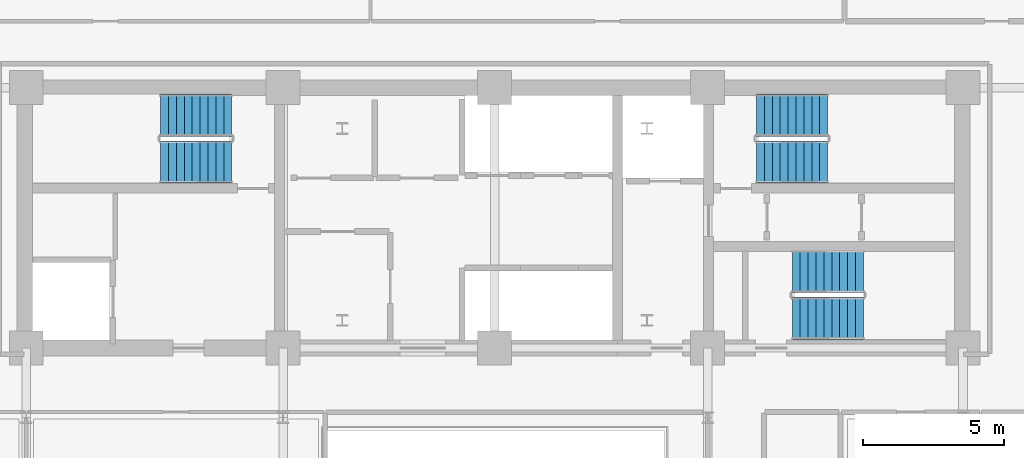
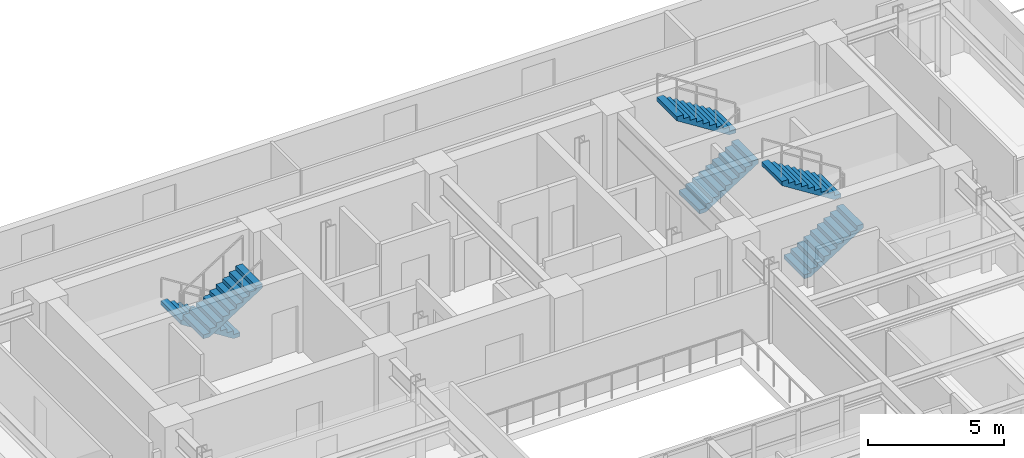
# One storey, part 10 of 13: 6 stair flights, 3 elements without a shape of their own.
"""IFC4 building model written with IfcOpenShell, lengths in metres."""

from ifc_helpers import new_model, si_unit, direction, frame, origin, place, context, subcontext, project, spatial, polyline, outline, extrude, material, layer, layer_set, type_object, element, aggregate, save


model = new_model("IFC4")

# Units and contexts
model_context = context("Model", 3, precision=1e-05, world=origin(), true_north=direction((0.0, 1.0)))
body_context = subcontext(model_context, "Body", "Model", "MODEL_VIEW")
ifc_project = project(units=[si_unit("LENGTHUNIT", "METRE"), si_unit("AREAUNIT", "SQUARE_METRE"), si_unit("VOLUMEUNIT", "CUBIC_METRE"), si_unit("PLANEANGLEUNIT", "RADIAN"), si_unit("MASSUNIT", "GRAM", prefix="KILO")], contexts=[model_context])

# Site, building, storey
site_placement = place(None, origin())
site = spatial("IfcSite", under=ifc_project, at=site_placement, CompositionType="ELEMENT")
building_placement = place(site_placement, origin())
building = spatial("IfcBuilding", under=site, at=building_placement, Name="Zarnavel Station Tower", CompositionType="ELEMENT")
storey_placement = place(building_placement, frame((0.0, 0.0, 137.699951171875)))
storey = spatial("IfcBuildingStorey", under=building, at=storey_placement, Name="L37", CompositionType="ELEMENT", Elevation=137.699951171875)

# Stair, stair flights
ifc_material_1 = material(Name="Concrete C45/55", Category="concrete")
stair_type = type_object("IfcStairType", Name="ST_CORE_150", PredefinedType="HALF_TURN_STAIR", material=ifc_material_1)
stair_1_placement = place(storey_placement, origin())
stair_1 = element("IfcStair", 1, at=stair_1_placement, inside=storey, type_object=stair_type, Name="L37 Core Exit Stair ST1", PredefinedType="HALF_TURN_STAIR")
ifc_material_2 = material(Name="Concrete C45/55", Category="concrete")
ifc_layer = layer(ifc_material_2, 0.179931640625)
ifc_layer_set = layer_set([ifc_layer], Name="ST_CORE_150_FLT")
stair_flight_type = type_object("IfcStairFlightType", Name="ST_CORE_150_FLT", PredefinedType="STRAIGHT", material=ifc_layer_set)
stair_flight_1_placement = place(storey_placement, frame((19.47998046875, 36.070068359375, 0.0), z_axis=(0.0, 0.0, 1.0), x_axis=(-1.0, 0.0, 0.0)))
stair_flight_1 = element("IfcStairFlight", 2, at=stair_flight_1_placement, type_object=stair_flight_type, Name="ST1 flight 1", NumberOfRisers=10, NumberOfTreads=9, PredefinedType="STRAIGHT", RiserHeight=0.1775, TreadLength=0.28, context=body_context, shape_type="SweptSolid", body=[
    extrude(outline(polyline([(0.0, 0.0), (0.0, 0.177490234375), (0.280029296875, 0.177490234375), (0.280029296875, 0.35498046875), (0.56005859375, 0.35498046875), (0.56005859375, 0.532470703125), (0.840087890625, 0.532470703125), (0.840087890625, 0.7099609375), (1.1201171875, 0.7099609375), (1.1201171875, 0.887451171875), (1.39990234375, 0.887451171875), (1.39990234375, 1.06494140625), (1.679931640625, 1.06494140625), (1.679931640625, 1.242431640625), (1.9599609375, 1.242431640625), (1.9599609375, 1.419921875), (2.239990234375, 1.419921875), (2.239990234375, 1.597412109375), (2.52001953125, 1.597412109375), (2.52001953125, 1.77490234375), (2.52001953125, 1.419921875), (0.280029296875, 0.0), (0.0, 0.0)])), frame((0.0, 0.75, 0.0), z_axis=(0.0, -1.0, 0.0), x_axis=(1.0, 0.0, 0.0)), (0.0, 0.0, 1.0), 1.5),
])
stair_flight_2_placement = place(storey_placement, frame((16.9599609375, 34.409912109375, 1.775146484375), z_axis=(0.0, 0.0, 1.0), x_axis=(1.0, 0.0, 0.0)))
stair_flight_2 = element("IfcStairFlight", 3, at=stair_flight_2_placement, type_object=stair_flight_type, Name="ST1 flight 2", NumberOfRisers=10, NumberOfTreads=9, PredefinedType="STRAIGHT", RiserHeight=0.1775, TreadLength=0.28, context=body_context, shape_type="SweptSolid", body=[
    extrude(outline(polyline([(0.0, 0.0), (0.0, 0.177490234375), (0.280029296875, 0.177490234375), (0.280029296875, 0.35498046875), (0.56005859375, 0.35498046875), (0.56005859375, 0.532470703125), (0.840087890625, 0.532470703125), (0.840087890625, 0.7099609375), (1.1201171875, 0.7099609375), (1.1201171875, 0.887451171875), (1.39990234375, 0.887451171875), (1.39990234375, 1.06494140625), (1.679931640625, 1.06494140625), (1.679931640625, 1.242431640625), (1.9599609375, 1.242431640625), (1.9599609375, 1.419921875), (2.239990234375, 1.419921875), (2.239990234375, 1.597412109375), (2.52001953125, 1.597412109375), (2.52001953125, 1.77490234375), (2.52001953125, 1.419921875), (0.280029296875, 0.0), (0.0, 0.0)])), frame((0.0, 0.75, 0.0), z_axis=(0.0, -1.0, 0.0), x_axis=(1.0, 0.0, 0.0)), (0.0, 0.0, 1.0), 1.5),
])
aggregate(stair_1, [stair_flight_1, stair_flight_2])

stair_2_placement = place(storey_placement, origin())
stair_2 = element("IfcStair", 4, at=stair_2_placement, inside=storey, type_object=stair_type, Name="L37 Core Exit Stair ST2", PredefinedType="HALF_TURN_STAIR")
stair_flight_3_placement = place(storey_placement, frame((38.080078125, 34.409912109375, 0.0), z_axis=(0.0, 0.0, 1.0), x_axis=(1.0, 0.0, 0.0)))
stair_flight_3 = element("IfcStairFlight", 5, at=stair_flight_3_placement, type_object=stair_flight_type, Name="ST2 flight 1", NumberOfRisers=10, NumberOfTreads=9, PredefinedType="STRAIGHT", RiserHeight=0.1775, TreadLength=0.28, context=body_context, shape_type="SweptSolid", body=[
    extrude(outline(polyline([(0.0, 0.0), (0.0, 0.177490234375), (0.280029296875, 0.177490234375), (0.280029296875, 0.35498046875), (0.56005859375, 0.35498046875), (0.56005859375, 0.532470703125), (0.840087890625, 0.532470703125), (0.840087890625, 0.7099609375), (1.1201171875, 0.7099609375), (1.1201171875, 0.887451171875), (1.39990234375, 0.887451171875), (1.39990234375, 1.06494140625), (1.679931640625, 1.06494140625), (1.679931640625, 1.242431640625), (1.9599609375, 1.242431640625), (1.9599609375, 1.419921875), (2.239990234375, 1.419921875), (2.239990234375, 1.597412109375), (2.52001953125, 1.597412109375), (2.52001953125, 1.77490234375), (2.52001953125, 1.419921875), (0.280029296875, 0.0), (0.0, 0.0)])), frame((0.0, 0.75, 0.0), z_axis=(0.0, -1.0, 0.0), x_axis=(1.0, 0.0, 0.0)), (0.0, 0.0, 1.0), 1.5),
])
stair_flight_4_placement = place(storey_placement, frame((40.60009765625, 36.070068359375, 1.775146484375), z_axis=(0.0, 0.0, 1.0), x_axis=(-1.0, 0.0, 0.0)))
stair_flight_4 = element("IfcStairFlight", 6, at=stair_flight_4_placement, type_object=stair_flight_type, Name="ST2 flight 2", NumberOfRisers=10, NumberOfTreads=9, PredefinedType="STRAIGHT", RiserHeight=0.1775, TreadLength=0.28, context=body_context, shape_type="SweptSolid", body=[
    extrude(outline(polyline([(0.0, 0.0), (0.0, 0.177490234375), (0.280029296875, 0.177490234375), (0.280029296875, 0.35498046875), (0.56005859375, 0.35498046875), (0.56005859375, 0.532470703125), (0.840087890625, 0.532470703125), (0.840087890625, 0.7099609375), (1.1201171875, 0.7099609375), (1.1201171875, 0.887451171875), (1.39990234375, 0.887451171875), (1.39990234375, 1.06494140625), (1.679931640625, 1.06494140625), (1.679931640625, 1.242431640625), (1.9599609375, 1.242431640625), (1.9599609375, 1.419921875), (2.239990234375, 1.419921875), (2.239990234375, 1.597412109375), (2.52001953125, 1.597412109375), (2.52001953125, 1.77490234375), (2.52001953125, 1.419921875), (0.280029296875, 0.0), (0.0, 0.0)])), frame((0.0, 0.75, 0.0), z_axis=(0.0, -1.0, 0.0), x_axis=(1.0, 0.0, 0.0)), (0.0, 0.0, 1.0), 1.5),
])
aggregate(stair_2, [stair_flight_3, stair_flight_4])

stair_3_placement = place(storey_placement, origin())
stair_3 = element("IfcStair", 7, at=stair_3_placement, inside=storey, type_object=stair_type, Name="L37 Core Exit Stair ST3", PredefinedType="HALF_TURN_STAIR")
stair_flight_5_placement = place(storey_placement, frame((39.35009765625, 28.8701171875, 0.0), z_axis=(0.0, 0.0, 1.0), x_axis=(1.0, 0.0, 0.0)))
stair_flight_5 = element("IfcStairFlight", 8, at=stair_flight_5_placement, type_object=stair_flight_type, Name="ST3 flight 1", NumberOfRisers=10, NumberOfTreads=9, PredefinedType="STRAIGHT", RiserHeight=0.1775, TreadLength=0.28, context=body_context, shape_type="SweptSolid", body=[
    extrude(outline(polyline([(0.0, 0.0), (0.0, 0.177490234375), (0.280029296875, 0.177490234375), (0.280029296875, 0.35498046875), (0.56005859375, 0.35498046875), (0.56005859375, 0.532470703125), (0.840087890625, 0.532470703125), (0.840087890625, 0.7099609375), (1.1201171875, 0.7099609375), (1.1201171875, 0.887451171875), (1.39990234375, 0.887451171875), (1.39990234375, 1.06494140625), (1.679931640625, 1.06494140625), (1.679931640625, 1.242431640625), (1.9599609375, 1.242431640625), (1.9599609375, 1.419921875), (2.239990234375, 1.419921875), (2.239990234375, 1.597412109375), (2.52001953125, 1.597412109375), (2.52001953125, 1.77490234375), (2.52001953125, 1.419921875), (0.280029296875, 0.0), (0.0, 0.0)])), frame((0.0, 0.75, 0.0), z_axis=(0.0, -1.0, 0.0), x_axis=(1.0, 0.0, 0.0)), (0.0, 0.0, 1.0), 1.5),
])
stair_flight_6_placement = place(storey_placement, frame((41.8701171875, 30.530029296875, 1.775146484375), z_axis=(0.0, 0.0, 1.0), x_axis=(-1.0, 0.0, 0.0)))
stair_flight_6 = element("IfcStairFlight", 9, at=stair_flight_6_placement, type_object=stair_flight_type, Name="ST3 flight 2", NumberOfRisers=10, NumberOfTreads=9, PredefinedType="STRAIGHT", RiserHeight=0.1775, TreadLength=0.28, context=body_context, shape_type="SweptSolid", body=[
    extrude(outline(polyline([(0.0, 0.0), (0.0, 0.177490234375), (0.280029296875, 0.177490234375), (0.280029296875, 0.35498046875), (0.56005859375, 0.35498046875), (0.56005859375, 0.532470703125), (0.840087890625, 0.532470703125), (0.840087890625, 0.7099609375), (1.1201171875, 0.7099609375), (1.1201171875, 0.887451171875), (1.39990234375, 0.887451171875), (1.39990234375, 1.06494140625), (1.679931640625, 1.06494140625), (1.679931640625, 1.242431640625), (1.9599609375, 1.242431640625), (1.9599609375, 1.419921875), (2.239990234375, 1.419921875), (2.239990234375, 1.597412109375), (2.52001953125, 1.597412109375), (2.52001953125, 1.77490234375), (2.52001953125, 1.419921875), (0.280029296875, 0.0), (0.0, 0.0)])), frame((0.0, 0.75, 0.0), z_axis=(0.0, -1.0, 0.0), x_axis=(1.0, 0.0, 0.0)), (0.0, 0.0, 1.0), 1.5),
])
aggregate(stair_3, [stair_flight_5, stair_flight_6])

save(model, "model.ifc")
